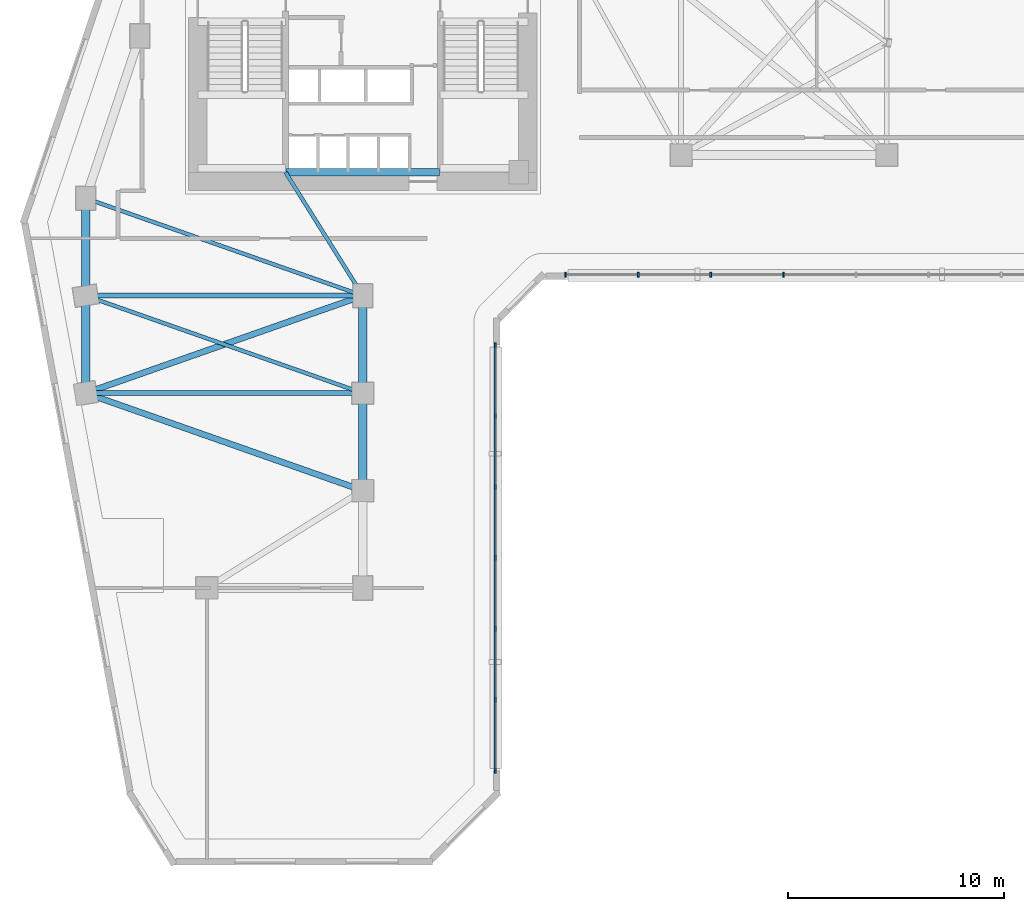
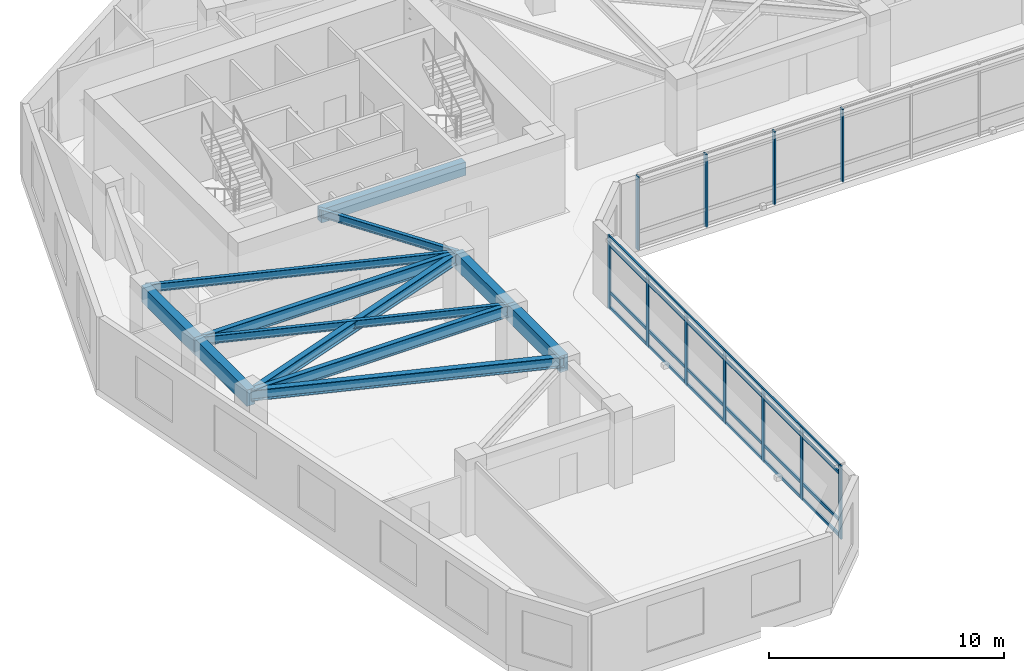
# One storey, part 2 of 11: 15 members, 12 beams, 2 elements without a shape of their own.
"""IFC4 building model written with IfcOpenShell, lengths in metres."""

from ifc_helpers import new_model, si_unit, direction, frame, origin, origin_2d, place, context, subcontext, project, spatial, rectangle, i_section, extrude, source, transform, mapped, material, material_profile, profile_set, type_object, element, aggregate, save


model = new_model("IFC4")

# Units and contexts
model_context = context("Model", 3, precision=1e-05, world=origin(), true_north=direction((0.0, 1.0)))
body_context = subcontext(model_context, "Body", "Model", "MODEL_VIEW")
ifc_project = project(units=[si_unit("LENGTHUNIT", "METRE"), si_unit("AREAUNIT", "SQUARE_METRE"), si_unit("VOLUMEUNIT", "CUBIC_METRE"), si_unit("PLANEANGLEUNIT", "RADIAN"), si_unit("MASSUNIT", "GRAM", prefix="KILO")], contexts=[model_context])

# Site, building, storey
site_placement = place(None, origin())
site = spatial("IfcSite", under=ifc_project, at=site_placement, CompositionType="ELEMENT")
building_placement = place(site_placement, origin())
building = spatial("IfcBuilding", under=site, at=building_placement, Name="Calvemar Wedge Station Tower", CompositionType="ELEMENT")
storey_placement = place(building_placement, frame((0.0, 0.0, 27.0)))
storey = spatial("IfcBuildingStorey", under=building, at=storey_placement, Name="L06", CompositionType="ELEMENT", Elevation=27.0)

# Beams
ifc_material_1 = material(Name="Concrete C60", Category="concrete")
ifc_material_profile_1 = material_profile(ifc_material_1, rectangle(XDim=0.39990234375, YDim=0.85009765625, at=origin_2d()), Name="RC400x850")
ifc_profile_set_1 = profile_set([ifc_material_profile_1], Name="Concrete C60")
beam_type_1 = type_object("IfcBeamType", Name="BM-SP1-850", PredefinedType="SPANDREL", material=ifc_profile_set_1)
shared_shape_1 = source(origin(), body_context, "Body", "SweptSolid", [
    extrude(rectangle(XDim=0.39990234375, YDim=0.85009765625, at=origin_2d()), origin(), (0.0, 0.0, 1.0), 4.5),
])
for number, where, z_axis, x_axis, name in (
    (1, (11.0, 33.0, 3.324951171875), (0.0, -1.0, 0.0), (1.0, 0.0, 0.0), "Storey L06 Spandrel T-NW1-T-SW1"),
    (2, (11.0, 28.5, 3.324951171875), (0.0, -1.0, 0.0), (1.0, 0.0, 0.0), "Storey L06 Spandrel T-SW1-T-SW2"),
    (3, (23.800048828125, 28.5, 3.324951171875), (0.0, -1.0, 0.0), (1.0, 0.0, 0.0), "Storey L06 Spandrel T-SE1-T-SE2"),
    (4, (23.800048828125, 24.0, 3.324951171875), (0.0, -1.0, 0.0), (1.0, 0.0, 0.0), "Storey L06 Spandrel T-SE2-T-SE3"),
):
    element("IfcBeam", number, at=place(storey_placement, frame(where, z_axis=z_axis, x_axis=x_axis)), inside=storey, type_object=beam_type_1, Name=name, PredefinedType="SPANDREL", context=body_context, shape_type="MappedRepresentation", body=[
        mapped(shared_shape_1, transform((0.0, 0.0, 0.0), scale=1.0)),
    ])
ifc_material_2 = material(Name="Structural steel ASTM A572 Grade 50", Category="steel")
ifc_material_profile_2 = material_profile(ifc_material_2, i_section(OverallWidth=0.22998046875, OverallDepth=0.616943359375, WebThickness=0.01318359375, FlangeThickness=0.022216796875, FilletRadius=0.012939453125, at=origin_2d()), Name="W610x140")
ifc_profile_set_2 = profile_set([ifc_material_profile_2], Name="Structural steel ASTM A572 Grade 50")
beam_type_2 = type_object("IfcBeamType", Name="BM-SB2-W610", PredefinedType="BEAM", material=ifc_profile_set_2)
shared_shape_2 = source(origin(), body_context, "Body", "SweptSolid", [
    extrude(i_section(OverallWidth=0.22998046875, OverallDepth=0.616943359375, WebThickness=0.01318359375, FlangeThickness=0.022216796875, FilletRadius=0.012939453125, at=origin_2d()), origin(), (0.0, 0.0, 1.0), 12.800048828125),
])
for number, where, z_axis, x_axis, name in (
    (5, (11.0, 28.5, 3.44140625), (1.0, 0.0, 0.0), (0.0, 1.0, 0.0), "Storey L06 Floor Beam T-SW1-T-SE1"),
    (6, (11.0, 24.0, 3.44140625), (1.0, 0.0, 0.0), (0.0, 1.0, 0.0), "Storey L06 Floor Beam T-SW2-T-SE2"),
):
    element("IfcBeam", number, at=place(storey_placement, frame(where, z_axis=z_axis, x_axis=x_axis)), inside=storey, type_object=beam_type_2, Name=name, PredefinedType="BEAM", context=body_context, shape_type="MappedRepresentation", body=[
        mapped(shared_shape_2, transform((0.0, 0.0, 0.0), scale=1.0)),
    ])
ifc_material_profile_3 = material_profile(ifc_material_2, i_section(OverallWidth=0.177978515625, OverallDepth=0.406982421875, WebThickness=0.0078125, FlangeThickness=0.0126953125, FilletRadius=0.010009765625, at=origin_2d()), Name="W410x60")
ifc_profile_set_3 = profile_set([ifc_material_profile_3], Name="Structural steel ASTM A572 Grade 50")
beam_type_3 = type_object("IfcBeamType", Name="BM-J3-W410", PredefinedType="JOIST", material=ifc_profile_set_3)
shared_shape_3 = source(origin(), body_context, "Body", "SweptSolid", [
    extrude(i_section(OverallWidth=0.177978515625, OverallDepth=0.406982421875, WebThickness=0.0078125, FlangeThickness=0.0126953125, FilletRadius=0.010009765625, at=origin_2d()), origin(), (0.0, 0.0, 1.0), 13.568115234375),
])
for number, where, z_axis, x_axis, name in (
    (7, (11.0, 33.0, 3.54638671875), (0.943398221169, -0.331662171939, 0.0), (0.331662171939, 0.943398221169, 0.0), "Storey L06 Floor Beam T-NW1-T-SE1"),
    (8, (11.0, 28.5, 3.54638671875), (0.943398221169, -0.331662171939, 0.0), (0.331662171939, 0.943398221169, 0.0), "Storey L06 Floor Beam T-SW1-T-SE2"),
):
    element("IfcBeam", number, at=place(storey_placement, frame(where, z_axis=z_axis, x_axis=x_axis)), inside=storey, type_object=beam_type_3, Name=name, PredefinedType="JOIST", context=body_context, shape_type="MappedRepresentation", body=[
        mapped(shared_shape_3, transform((0.0, 0.0, 0.0), scale=1.0)),
    ])
ifc_material_profile_4 = material_profile(ifc_material_2, i_section(OverallWidth=0.279052734375, OverallDepth=0.553955078125, WebThickness=0.017578125, FlangeThickness=0.029541015625, FilletRadius=0.014892578125, at=origin_2d()), Name="W530x196")
ifc_profile_set_4 = profile_set([ifc_material_profile_4], Name="Structural steel ASTM A572 Grade 50")
beam_type_4 = type_object("IfcBeamType", Name="BM-SB3-W530H", PredefinedType="BEAM", material=ifc_profile_set_4)
shared_shape_4 = source(origin(), body_context, "Body", "SweptSolid", [
    extrude(i_section(OverallWidth=0.279052734375, OverallDepth=0.553955078125, WebThickness=0.017578125, FlangeThickness=0.029541015625, FilletRadius=0.014892578125, at=origin_2d()), origin(), (0.0, 0.0, 1.0), 13.568115234375),
])
for number, where, z_axis, x_axis, name in (
    (9, (23.800048828125, 28.5, 3.472900390625), (-0.943398221169, -0.331662171939, 0.0), (0.331662171939, -0.943398221169, 0.0), "Storey L06 Floor Beam T-SE1-T-SW2"),
    (10, (11.0, 24.0, 3.472900390625), (0.943398221169, -0.331662171939, 0.0), (0.331662171939, 0.943398221169, 0.0), "Storey L06 Floor Beam T-SW2-T-SE3"),
):
    element("IfcBeam", number, at=place(storey_placement, frame(where, z_axis=z_axis, x_axis=x_axis)), inside=storey, type_object=beam_type_4, Name=name, PredefinedType="BEAM", context=body_context, shape_type="MappedRepresentation", body=[
        mapped(shared_shape_4, transform((0.0, 0.0, 0.0), scale=1.0)),
    ])
shared_shape_5 = source(origin(), body_context, "Body", "SweptSolid", [
    extrude(i_section(OverallWidth=0.177978515625, OverallDepth=0.406982421875, WebThickness=0.0078125, FlangeThickness=0.0126953125, FilletRadius=0.010009765625, at=origin_2d()), origin(), (0.0, 0.0, 1.0), 6.7255859375),
])
beam_1_placement = place(storey_placement, frame((20.22998046875, 34.199951171875, 3.54638671875), z_axis=(0.530811158438, -0.847490126242, 0.0), x_axis=(0.847490126242, 0.530811158438, 0.0)))
element("IfcBeam", 11, at=beam_1_placement, inside=storey, type_object=beam_type_3, Name="Storey L06 Core-to-Column Joist CJ-S2", PredefinedType="JOIST", context=body_context, shape_type="MappedRepresentation", body=[
    mapped(shared_shape_5, transform((0.0, 0.0, 0.0), scale=1.0)),
])
ifc_material_3 = material(Name="Concrete C70", Category="concrete")
ifc_material_profile_5 = material_profile(ifc_material_3, rectangle(XDim=0.35009765625, YDim=0.699951171875, at=origin_2d()), Name="RC350x700")
ifc_profile_set_5 = profile_set([ifc_material_profile_5], Name="Concrete C70")
beam_type_5 = type_object("IfcBeamType", Name="BM-LN1-700", PredefinedType="LINTEL", material=ifc_profile_set_5)
shared_shape_6 = source(origin(), body_context, "Body", "SweptSolid", [
    extrude(rectangle(XDim=0.35009765625, YDim=0.699951171875, at=origin_2d()), origin(), (0.0, 0.0, 1.0), 7.10009765625),
])
beam_2_placement = place(storey_placement, frame((20.25, 34.199951171875, 3.39990234375), z_axis=(1.0, 0.0, 0.0), x_axis=(0.0, 1.0, 0.0)))
element("IfcBeam", 12, at=beam_2_placement, inside=storey, type_object=beam_type_5, Name="Storey L06 Core Coupling Lintel South", PredefinedType="LINTEL", context=body_context, shape_type="MappedRepresentation", body=[
    mapped(shared_shape_6, transform((0.0, 0.0, 0.0), scale=1.0)),
])

# Curtain wall, members
ifc_material_4 = material(Name="Anodised aluminium 6063-T6", Category="aluminium")
curtain_wall_type = type_object("IfcCurtainWallType", Name="CW1", PredefinedType="NOTDEFINED", material=ifc_material_4)
curtain_wall_1_placement = place(storey_placement, origin())
curtain_wall_1 = element("IfcCurtainWall", 13, at=curtain_wall_1_placement, inside=storey, type_object=curtain_wall_type, Name="Storey L06 CW1 Recessed Unitised Curtain Wall 4", PredefinedType="NOTDEFINED")
ifc_material_profile_6 = material_profile(ifc_material_4, rectangle(XDim=0.080078125, YDim=0.219970703125, at=origin_2d()), Name="AL-MUL-80x220")
ifc_profile_set_6 = profile_set([ifc_material_profile_6], Name="Anodised aluminium 6063-T6")
member_type_1 = type_object("IfcMemberType", Name="CW1-MUL", PredefinedType="MULLION", material=ifc_profile_set_6)
shared_shape_7 = source(origin(), body_context, "Body", "SweptSolid", [
    extrude(rectangle(XDim=0.080078125, YDim=0.219970703125, at=origin_2d()), origin(), (0.0, 0.0, 1.0), 3.800048828125),
])
member_1_placement = place(storey_placement, frame((29.91796875, 6.56201171875, -0.050048828125), z_axis=(0.0, 0.0, 1.0), x_axis=(1.0, 0.0, 0.0)))
member_1 = element("IfcMember", 14, at=member_1_placement, type_object=member_type_1, Name="CW1 mullion 1", PredefinedType="MULLION", context=body_context, shape_type="MappedRepresentation", body=[
    mapped(shared_shape_7, transform((0.0, 0.0, 0.0), scale=1.0)),
])
member_2_placement = place(storey_placement, frame((29.91796875, 9.8388671875, -0.050048828125), z_axis=(0.0, 0.0, 1.0), x_axis=(1.0, 0.0, 0.0)))
member_2 = element("IfcMember", 15, at=member_2_placement, type_object=member_type_1, Name="CW1 mullion 2", PredefinedType="MULLION", context=body_context, shape_type="MappedRepresentation", body=[
    mapped(shared_shape_7, transform((0.0, 0.0, 0.0), scale=1.0)),
])
member_3_placement = place(storey_placement, frame((29.91796875, 13.115478515625, -0.050048828125), z_axis=(0.0, 0.0, 1.0), x_axis=(1.0, 0.0, 0.0)))
member_3 = element("IfcMember", 16, at=member_3_placement, type_object=member_type_1, Name="CW1 mullion 3", PredefinedType="MULLION", context=body_context, shape_type="MappedRepresentation", body=[
    mapped(shared_shape_7, transform((0.0, 0.0, 0.0), scale=1.0)),
])
member_4_placement = place(storey_placement, frame((29.91796875, 16.39208984375, -0.050048828125), z_axis=(0.0, 0.0, 1.0), x_axis=(1.0, 0.0, 0.0)))
member_4 = element("IfcMember", 17, at=member_4_placement, type_object=member_type_1, Name="CW1 mullion 4", PredefinedType="MULLION", context=body_context, shape_type="MappedRepresentation", body=[
    mapped(shared_shape_7, transform((0.0, 0.0, 0.0), scale=1.0)),
])
member_5_placement = place(storey_placement, frame((29.91796875, 19.668701171875, -0.050048828125), z_axis=(0.0, 0.0, 1.0), x_axis=(1.0, 0.0, 0.0)))
member_5 = element("IfcMember", 18, at=member_5_placement, type_object=member_type_1, Name="CW1 mullion 5", PredefinedType="MULLION", context=body_context, shape_type="MappedRepresentation", body=[
    mapped(shared_shape_7, transform((0.0, 0.0, 0.0), scale=1.0)),
])
member_6_placement = place(storey_placement, frame((29.91796875, 22.9453125, -0.050048828125), z_axis=(0.0, 0.0, 1.0), x_axis=(1.0, 0.0, 0.0)))
member_6 = element("IfcMember", 19, at=member_6_placement, type_object=member_type_1, Name="CW1 mullion 6", PredefinedType="MULLION", context=body_context, shape_type="MappedRepresentation", body=[
    mapped(shared_shape_7, transform((0.0, 0.0, 0.0), scale=1.0)),
])
member_7_placement = place(storey_placement, frame((29.91796875, 26.22216796875, -0.050048828125), z_axis=(0.0, 0.0, 1.0), x_axis=(1.0, 0.0, 0.0)))
member_7 = element("IfcMember", 20, at=member_7_placement, type_object=member_type_1, Name="CW1 mullion 7", PredefinedType="MULLION", context=body_context, shape_type="MappedRepresentation", body=[
    mapped(shared_shape_7, transform((0.0, 0.0, 0.0), scale=1.0)),
])

curtain_wall_2_placement = place(storey_placement, origin())
curtain_wall_2 = element("IfcCurtainWall", 21, at=curtain_wall_2_placement, inside=storey, type_object=curtain_wall_type, Name="Storey L06 CW1 Recessed Unitised Curtain Wall 6", PredefinedType="NOTDEFINED")
member_8_placement = place(storey_placement, frame((33.166015625, 29.469970703125, -0.050048828125), z_axis=(0.0, 0.0, 1.0), x_axis=(1.0, 0.0, 0.0)))
member_8 = element("IfcMember", 22, at=member_8_placement, type_object=member_type_1, Name="CW1 mullion 1", PredefinedType="MULLION", context=body_context, shape_type="MappedRepresentation", body=[
    mapped(shared_shape_7, transform((0.0, 0.0, 0.0), scale=1.0)),
])
member_9_placement = place(storey_placement, frame((36.51904296875, 29.469970703125, -0.050048828125), z_axis=(0.0, 0.0, 1.0), x_axis=(1.0, 0.0, 0.0)))
member_9 = element("IfcMember", 23, at=member_9_placement, type_object=member_type_1, Name="CW1 mullion 2", PredefinedType="MULLION", context=body_context, shape_type="MappedRepresentation", body=[
    mapped(shared_shape_7, transform((0.0, 0.0, 0.0), scale=1.0)),
])
member_10_placement = place(storey_placement, frame((39.872314453125, 29.469970703125, -0.050048828125), z_axis=(0.0, 0.0, 1.0), x_axis=(1.0, 0.0, 0.0)))
member_10 = element("IfcMember", 24, at=member_10_placement, type_object=member_type_1, Name="CW1 mullion 3", PredefinedType="MULLION", context=body_context, shape_type="MappedRepresentation", body=[
    mapped(shared_shape_7, transform((0.0, 0.0, 0.0), scale=1.0)),
])
member_11_placement = place(storey_placement, frame((43.225341796875, 29.469970703125, -0.050048828125), z_axis=(0.0, 0.0, 1.0), x_axis=(1.0, 0.0, 0.0)))
member_11 = element("IfcMember", 25, at=member_11_placement, type_object=member_type_1, Name="CW1 mullion 4", PredefinedType="MULLION", context=body_context, shape_type="MappedRepresentation", body=[
    mapped(shared_shape_7, transform((0.0, 0.0, 0.0), scale=1.0)),
])
aggregate(curtain_wall_2, [member_8, member_9, member_10, member_11])

# Member
ifc_material_profile_7 = material_profile(ifc_material_4, rectangle(XDim=0.080078125, YDim=0.159912109375, at=origin_2d()), Name="AL-TRN-80x160")
ifc_profile_set_7 = profile_set([ifc_material_profile_7], Name="Anodised aluminium 6063-T6")
member_type_2 = type_object("IfcMemberType", Name="CW1-TRN", PredefinedType="USERDEFINED", material=ifc_profile_set_7)
shared_shape_8 = source(origin(), body_context, "Body", "SweptSolid", [
    extrude(rectangle(XDim=0.080078125, YDim=0.159912109375, at=origin_2d()), origin(), (0.0, 0.0, 1.0), 19.66015625),
])
member_12_placement = place(storey_placement, frame((29.91796875, 6.56201171875, 0.06005859375), z_axis=(0.0, 1.0, 0.0), x_axis=(-1.0, 0.0, 0.0)))
member_12 = element("IfcMember", 26, at=member_12_placement, type_object=member_type_2, Name="CW1 transom 1", ObjectType="TRANSOM", PredefinedType="USERDEFINED", context=body_context, shape_type="MappedRepresentation", body=[
    mapped(shared_shape_8, transform((0.0, 0.0, 0.0), scale=1.0)),
])

member_13_placement = place(storey_placement, frame((29.91796875, 6.56201171875, 0.85009765625), z_axis=(0.0, 1.0, 0.0), x_axis=(-1.0, 0.0, 0.0)))
member_13 = element("IfcMember", 27, at=member_13_placement, type_object=member_type_2, Name="CW1 transom 2", ObjectType="TRANSOM", PredefinedType="USERDEFINED", context=body_context, shape_type="MappedRepresentation", body=[
    mapped(shared_shape_8, transform((0.0, 0.0, 0.0), scale=1.0)),
])

member_14_placement = place(storey_placement, frame((29.91796875, 6.56201171875, 3.300048828125), z_axis=(0.0, 1.0, 0.0), x_axis=(-1.0, 0.0, 0.0)))
member_14 = element("IfcMember", 28, at=member_14_placement, type_object=member_type_2, Name="CW1 transom 3", ObjectType="TRANSOM", PredefinedType="USERDEFINED", context=body_context, shape_type="MappedRepresentation", body=[
    mapped(shared_shape_8, transform((0.0, 0.0, 0.0), scale=1.0)),
])

member_15_placement = place(storey_placement, frame((29.91796875, 6.56201171875, 3.68994140625), z_axis=(0.0, 1.0, 0.0), x_axis=(-1.0, 0.0, 0.0)))
member_15 = element("IfcMember", 29, at=member_15_placement, type_object=member_type_2, Name="CW1 transom 4", ObjectType="TRANSOM", PredefinedType="USERDEFINED", context=body_context, shape_type="MappedRepresentation", body=[
    mapped(shared_shape_8, transform((0.0, 0.0, 0.0), scale=1.0)),
])

aggregate(curtain_wall_1, [member_1, member_2, member_3, member_4, member_5, member_6, member_7, member_12, member_13, member_14, member_15])

save(model, "model.ifc")
